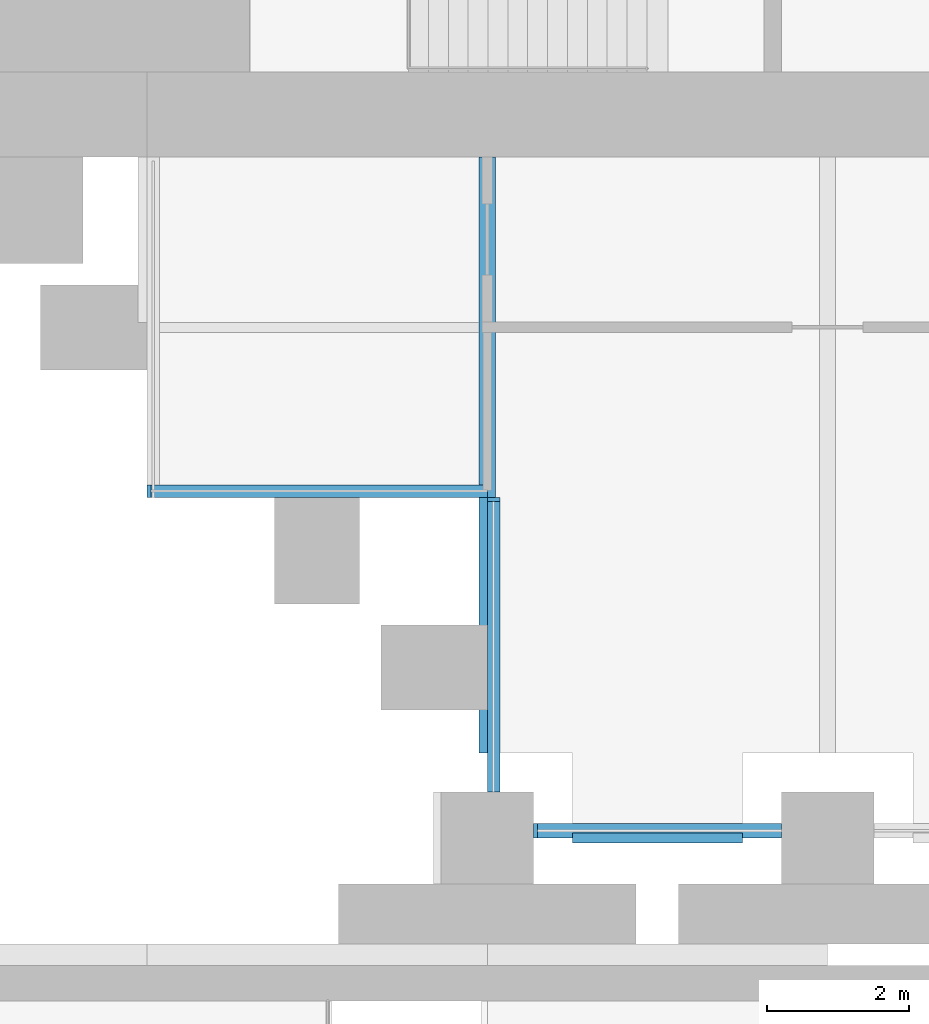
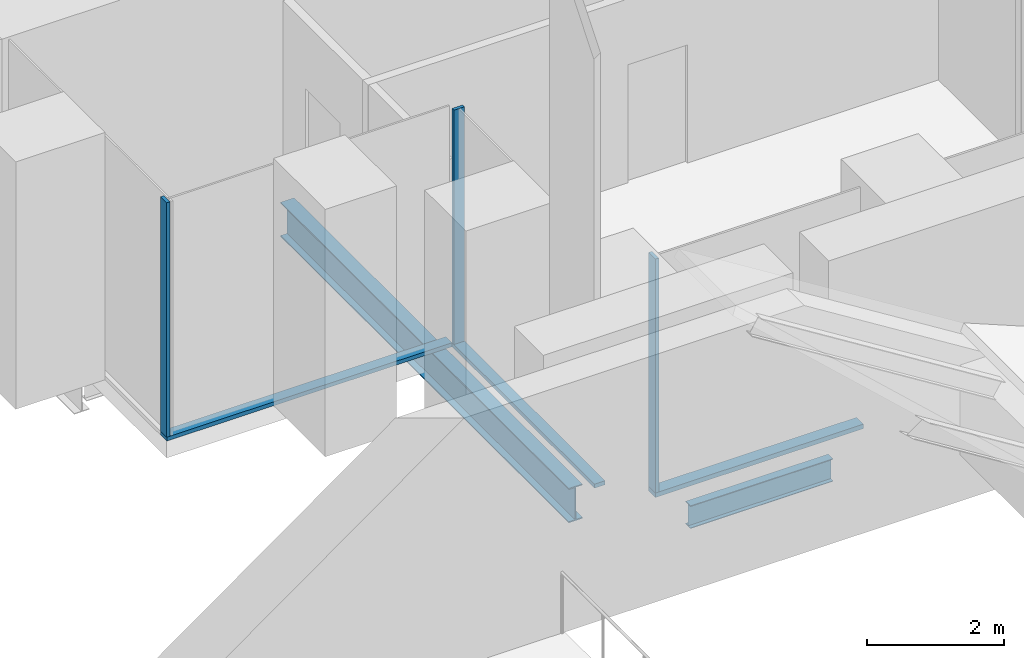
# One storey, part 6 of 32: 6 members, 2 beams, 3 elements without a shape of their own.
"""IFC4 building model written with IfcOpenShell, lengths in metres."""

from ifc_helpers import new_model, si_unit, direction, frame, origin, origin_2d, place, context, subcontext, project, spatial, rectangle, i_section, extrude, material, material_profile, profile_set, type_object, element, aggregate, save


model = new_model("IFC4")

# Units and contexts
model_context = context("Model", 3, precision=1e-05, world=origin(), true_north=direction((0.0, 1.0)))
body_context = subcontext(model_context, "Body", "Model", "MODEL_VIEW")
ifc_project = project(units=[si_unit("LENGTHUNIT", "METRE"), si_unit("AREAUNIT", "SQUARE_METRE"), si_unit("VOLUMEUNIT", "CUBIC_METRE"), si_unit("PLANEANGLEUNIT", "RADIAN"), si_unit("MASSUNIT", "GRAM", prefix="KILO")], contexts=[model_context])

# Site, building, storey
site_placement = place(None, origin())
site = spatial("IfcSite", under=ifc_project, at=site_placement, CompositionType="ELEMENT")
building_placement = place(site_placement, origin())
building = spatial("IfcBuilding", under=site, at=building_placement, Name="Baori Bourse Tower", CompositionType="ELEMENT")
storey_placement = place(building_placement, frame((0.0, 0.0, 12.60009765625)))
storey = spatial("IfcBuildingStorey", under=building, at=storey_placement, Name="L01", CompositionType="ELEMENT", Elevation=12.60009765625)

# Curtain wall, members
ifc_material_1 = material(Name="Pale anodised aluminium", Category="aluminium")
curtain_wall_type_1 = type_object("IfcCurtainWallType", Name="CW1 Curtain wall", PredefinedType="NOTDEFINED", material=ifc_material_1)
curtain_wall_1_placement = place(storey_placement, origin())
curtain_wall_1 = element("IfcCurtainWall", 1, at=curtain_wall_1_placement, inside=storey, type_object=curtain_wall_type_1, Name="Curtain wall CW1 L01 11", PredefinedType="NOTDEFINED")
ifc_material_2 = material(Name="Pale anodised aluminium", Category="aluminium")
ifc_material_profile_1 = material_profile(ifc_material_2, rectangle(XDim=0.199951171875, YDim=0.06005859375, at=origin_2d()), Name="Mullion 60x200")
ifc_profile_set_1 = profile_set([ifc_material_profile_1], Name="Pale anodised aluminium")
member_type_1 = type_object("IfcMemberType", Name="CW1 Curtain wall mullion", PredefinedType="MULLION", material=ifc_profile_set_1)
member_1_placement = place(storey_placement, frame((10.280029296875, 0.10009765625, 0.079833984375), z_axis=(0.0, 0.0, 1.0), x_axis=(0.0, 1.0, 0.0)))
member_1 = element("IfcMember", 2, at=member_1_placement, type_object=member_type_1, Name="Curtain wall CW1 mullion", PredefinedType="MULLION", context=body_context, shape_type="SweptSolid", body=[
    extrude(rectangle(XDim=0.199951171875, YDim=0.06005859375, at=origin_2d()), origin(), (0.0, 0.0, 1.0), 4.16015625),
])
ifc_material_3 = material(Name="Pale anodised aluminium", Category="aluminium")
ifc_material_profile_2 = material_profile(ifc_material_3, rectangle(XDim=0.199951171875, YDim=0.080078125, at=origin_2d()), Name="Transom 80x200")
ifc_profile_set_2 = profile_set([ifc_material_profile_2], Name="Pale anodised aluminium")
member_type_2 = type_object("IfcMemberType", Name="CW1 Curtain wall transom", PredefinedType="USERDEFINED", material=ifc_profile_set_2)
member_2_placement = place(storey_placement, frame((10.25, 0.10009765625, 0.039794921875), z_axis=(1.0, 0.0, 0.0), x_axis=(0.0, 1.0, 0.0)))
member_2 = element("IfcMember", 3, at=member_2_placement, type_object=member_type_2, Name="Curtain wall CW1 sill rail", ObjectType="TRANSOM", PredefinedType="USERDEFINED", context=body_context, shape_type="SweptSolid", body=[
    extrude(rectangle(XDim=0.199951171875, YDim=0.080078125, at=origin_2d()), origin(), (0.0, 0.0, 1.0), 3.5),
])
aggregate(curtain_wall_1, [member_2, member_1])

# Curtain wall, member
ifc_material_4 = material(Name="Pale anodised aluminium", Category="aluminium")
curtain_wall_type_2 = type_object("IfcCurtainWallType", Name="CW2 Curtain wall", PredefinedType="NOTDEFINED", material=ifc_material_4)
curtain_wall_2_placement = place(storey_placement, origin())
curtain_wall_2 = element("IfcCurtainWall", 4, at=curtain_wall_2_placement, inside=storey, type_object=curtain_wall_type_2, Name="Curtain wall CW2 L01 9", PredefinedType="NOTDEFINED")
ifc_material_5 = material(Name="Pale anodised aluminium", Category="aluminium")
ifc_material_profile_3 = material_profile(ifc_material_5, rectangle(XDim=0.179931640625, YDim=0.054931640625, at=origin_2d()), Name="Mullion 55x180")
ifc_profile_set_3 = profile_set([ifc_material_profile_3], Name="Pale anodised aluminium")
member_type_3 = type_object("IfcMemberType", Name="CW2 Curtain wall mullion", PredefinedType="MULLION", material=ifc_profile_set_3)
member_3_placement = place(storey_placement, frame((4.827392578125, 4.889892578125, 0.06982421875), z_axis=(0.0, 0.0, 1.0), x_axis=(0.0, 1.0, 0.0)))
member_3 = element("IfcMember", 5, at=member_3_placement, type_object=member_type_3, Name="Curtain wall CW2 mullion", PredefinedType="MULLION", context=body_context, shape_type="SweptSolid", body=[
    extrude(rectangle(XDim=0.179931640625, YDim=0.054931640625, at=origin_2d()), origin(), (0.0, 0.0, 1.0), 4.170166015625),
])

curtain_wall_3_placement = place(storey_placement, origin())
curtain_wall_3 = element("IfcCurtainWall", 6, at=curtain_wall_3_placement, inside=storey, type_object=curtain_wall_type_2, Name="Curtain wall CW2 L01 10", PredefinedType="NOTDEFINED")
member_4_placement = place(storey_placement, frame((9.68994140625, 4.7724609375, 0.06982421875), z_axis=(0.0, 0.0, 1.0), x_axis=(1.0, 0.0, 0.0)))
member_4 = element("IfcMember", 7, at=member_4_placement, type_object=member_type_3, Name="Curtain wall CW2 mullion", PredefinedType="MULLION", context=body_context, shape_type="SweptSolid", body=[
    extrude(rectangle(XDim=0.179931640625, YDim=0.054931640625, at=origin_2d()), origin(), (0.0, 0.0, 1.0), 4.170166015625),
])

# Member
ifc_material_6 = material(Name="Pale anodised aluminium", Category="aluminium")
ifc_material_profile_4 = material_profile(ifc_material_6, rectangle(XDim=0.179931640625, YDim=0.070068359375, at=origin_2d()), Name="Transom 70x180")
ifc_profile_set_4 = profile_set([ifc_material_profile_4], Name="Pale anodised aluminium")
member_type_4 = type_object("IfcMemberType", Name="CW2 Curtain wall transom", PredefinedType="USERDEFINED", material=ifc_profile_set_4)
member_5_placement = place(storey_placement, frame((4.800048828125, 4.889892578125, 0.034912109375), z_axis=(1.0, 0.0, 0.0), x_axis=(0.0, 1.0, 0.0)))
member_5 = element("IfcMember", 8, at=member_5_placement, type_object=member_type_4, Name="Curtain wall CW2 sill rail", ObjectType="TRANSOM", PredefinedType="USERDEFINED", context=body_context, shape_type="SweptSolid", body=[
    extrude(rectangle(XDim=0.179931640625, YDim=0.070068359375, at=origin_2d()), origin(), (0.0, 0.0, 1.0), 4.800048828125),
])

aggregate(curtain_wall_2, [member_5, member_3])

member_6_placement = place(storey_placement, frame((9.68994140625, 4.800048828125, 0.034912109375), z_axis=(0.0, -1.0, 0.0), x_axis=(1.0, 0.0, 0.0)))
member_6 = element("IfcMember", 9, at=member_6_placement, type_object=member_type_4, Name="Curtain wall CW2 sill rail", ObjectType="TRANSOM", PredefinedType="USERDEFINED", context=body_context, shape_type="SweptSolid", body=[
    extrude(rectangle(XDim=0.179931640625, YDim=0.070068359375, at=origin_2d()), origin(), (0.0, 0.0, 1.0), 4.150146484375),
])

aggregate(curtain_wall_3, [member_6, member_4])

# Beams
ifc_material_7 = material(Name="Steel A992 Gr 50", Category="steel")
ifc_material_profile_5 = material_profile(ifc_material_7, i_section(OverallWidth=0.140380859375, OverallDepth=0.40380859375, WebThickness=0.007080078125, FlangeThickness=0.01123046875, at=origin_2d()), Name="W16x31")
ifc_profile_set_5 = profile_set([ifc_material_profile_5], Name="Steel A992 Gr 50")
beam_type_1 = type_object("IfcBeamType", Name="Edge beam W16x31", PredefinedType="BEAM", material=ifc_profile_set_5)
beam_1_placement = place(storey_placement, frame((10.800048828125, 0.0, -0.501953125), z_axis=(1.0, 0.0, 0.0), x_axis=(0.0, 1.0, 0.0)))
element("IfcBeam", 10, at=beam_1_placement, inside=storey, type_object=beam_type_1, Name="Edge beam L01", PredefinedType="BEAM", context=body_context, shape_type="SweptSolid", body=[
    extrude(i_section(OverallWidth=0.140380859375, OverallDepth=0.40380859375, WebThickness=0.007080078125, FlangeThickness=0.01123046875, at=origin_2d()), origin(), (0.0, 0.0, 1.0), 2.39990234375),
])
ifc_material_8 = material(Name="Steel A992 Gr 50", Category="steel")
ifc_material_profile_6 = material_profile(ifc_material_8, i_section(OverallWidth=0.22900390625, OverallDepth=0.612060546875, WebThickness=0.011962890625, FlangeThickness=0.01953125, at=origin_2d()), Name="W24x84")
ifc_profile_set_6 = profile_set([ifc_material_profile_6], Name="Steel A992 Gr 50")
beam_type_2 = type_object("IfcBeamType", Name="Floor beam W24x84", PredefinedType="BEAM", material=ifc_profile_set_6)
beam_2_placement = place(storey_placement, frame((9.60009765625, 1.199951171875, -0.606201171875), z_axis=(0.0, 1.0, 0.0), x_axis=(-1.0, 0.0, 0.0)))
element("IfcBeam", 11, at=beam_2_placement, inside=storey, type_object=beam_type_2, Name="Floor beam L01", PredefinedType="BEAM", context=body_context, shape_type="SweptSolid", body=[
    extrude(i_section(OverallWidth=0.22900390625, OverallDepth=0.612060546875, WebThickness=0.011962890625, FlangeThickness=0.01953125, at=origin_2d()), origin(), (0.0, 0.0, 1.0), 8.400146484375),
])

save(model, "model.ifc")
